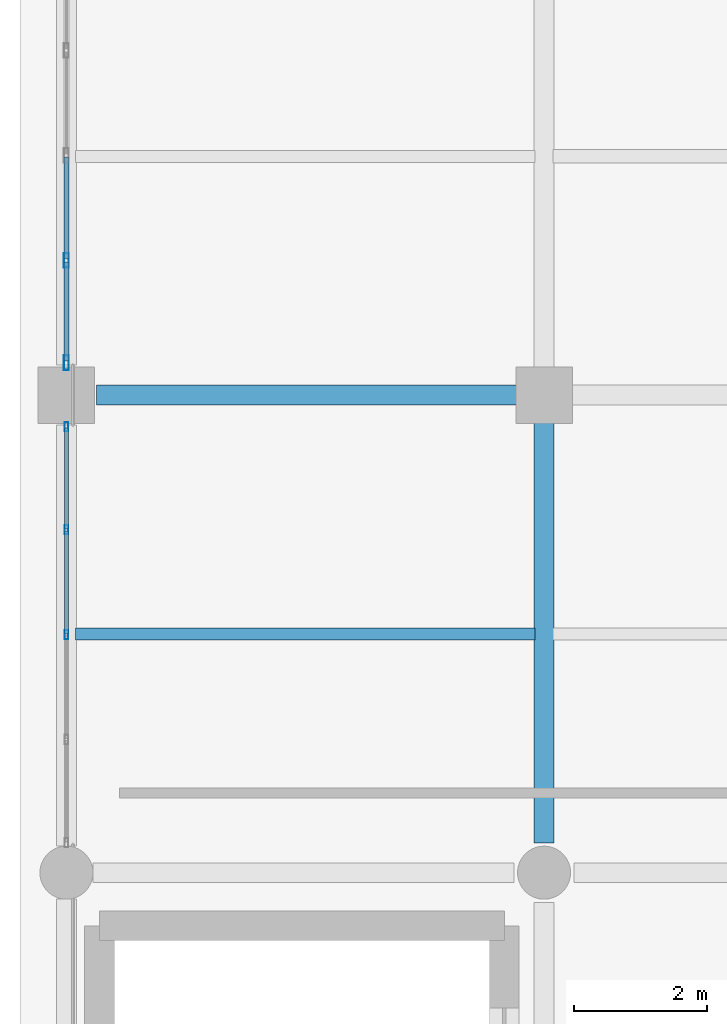
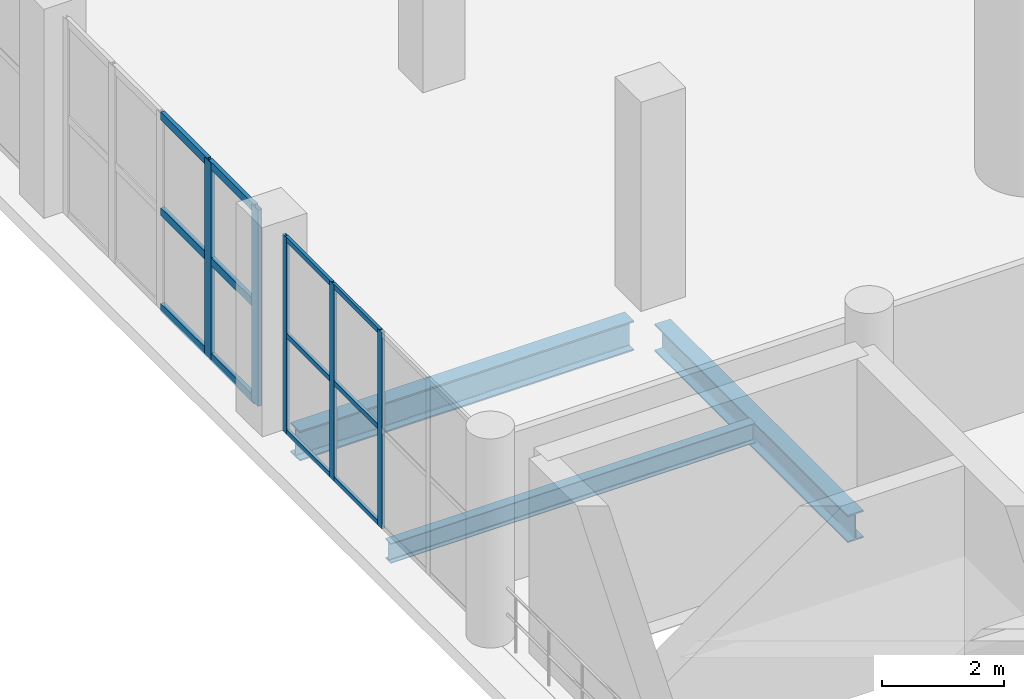
# One storey, part 47 of 153: 17 members, 3 beams, 2 elements without a shape of their own.
"""IFC4 building model written with IfcOpenShell, lengths in metres."""

from ifc_helpers import new_model, si_unit, direction, frame, origin, origin_2d, place, context, subcontext, project, spatial, hollow_rectangle, i_section, extrude, material, material_profile, profile_set, type_object, element, aggregate, save


model = new_model("IFC4")

# Units and contexts
model_context = context("Model", 3, precision=1e-05, world=origin(), true_north=direction((0.0, 1.0)))
body_context = subcontext(model_context, "Body", "Model", "MODEL_VIEW")
ifc_project = project(units=[si_unit("LENGTHUNIT", "METRE"), si_unit("AREAUNIT", "SQUARE_METRE"), si_unit("VOLUMEUNIT", "CUBIC_METRE"), si_unit("PLANEANGLEUNIT", "RADIAN"), si_unit("MASSUNIT", "GRAM", prefix="KILO")], contexts=[model_context])

# Site, building, storey
site_placement = place(None, origin())
site = spatial("IfcSite", under=ifc_project, at=site_placement, CompositionType="ELEMENT")
building_placement = place(site_placement, origin())
building = spatial("IfcBuilding", under=site, at=building_placement, Name="Qandorah Velis Arena", CompositionType="ELEMENT")
storey_placement = place(building_placement, frame((0.0, 0.0, 5.39990234375)))
storey = spatial("IfcBuildingStorey", under=building, at=storey_placement, Name="L01", CompositionType="ELEMENT", Elevation=5.39990234375)

# Curtain wall, members
ifc_material_1 = material(Name="Solar-control low-E double glazing", Category="glass")
curtain_wall_type_1 = type_object("IfcCurtainWallType", Name="ARC-CW-SYS08", PredefinedType="USERDEFINED", material=ifc_material_1)
curtain_wall_1_placement = place(storey_placement, origin())
curtain_wall_1 = element("IfcCurtainWall", 1, at=curtain_wall_1_placement, inside=storey, type_object=curtain_wall_type_1, Name="Unitised curtain wall L01-008", ObjectType="UNITISED CURTAIN WALL", PredefinedType="USERDEFINED")
ifc_material_2 = material(Name="Champagne-bronze anodized aluminium 6063-T6", Category="aluminium")
ifc_material_profile_1 = material_profile(ifc_material_2, hollow_rectangle(XDim=0.054931640625, YDim=0.139892578125, WallThickness=0.0029296875, at=origin_2d()), Name="ALU MULLION 55x140")
ifc_profile_set_1 = profile_set([ifc_material_profile_1], Name="Champagne-bronze anodized aluminium 6063-T6")
member_type_1 = type_object("IfcMemberType", Name="ARC-CWM-140", PredefinedType="MULLION", material=ifc_profile_set_1)
member_1_placement = place(storey_placement, frame((0.0, 97.1875, -0.014892578125), z_axis=(0.0, 0.0, 1.0), x_axis=(-1.0, 0.0, 0.0)))
member_1 = element("IfcMember", 2, at=member_1_placement, type_object=member_type_1, Name="CW08 mullion 3", PredefinedType="MULLION", context=body_context, shape_type="SweptSolid", body=[
    extrude(hollow_rectangle(XDim=0.054931640625, YDim=0.139892578125, WallThickness=0.0029296875, at=origin_2d()), origin(), (0.0, 0.0, 1.0), 3.949951171875),
])
member_2_placement = place(storey_placement, frame((0.0, 98.768798828125, -0.014892578125), z_axis=(0.0, 0.0, 1.0), x_axis=(-1.0, 0.0, 0.0)))
member_2 = element("IfcMember", 3, at=member_2_placement, type_object=member_type_1, Name="CW08 mullion 4", PredefinedType="MULLION", context=body_context, shape_type="SweptSolid", body=[
    extrude(hollow_rectangle(XDim=0.054931640625, YDim=0.139892578125, WallThickness=0.0029296875, at=origin_2d()), origin(), (0.0, 0.0, 1.0), 3.949951171875),
])
member_3_placement = place(storey_placement, frame((0.0, 100.322509765625, -0.014892578125), z_axis=(0.0, 0.0, 1.0), x_axis=(-1.0, 0.0, 0.0)))
member_3 = element("IfcMember", 4, at=member_3_placement, type_object=member_type_1, Name="CW08 mullion 5", PredefinedType="MULLION", context=body_context, shape_type="SweptSolid", body=[
    extrude(hollow_rectangle(XDim=0.054931640625, YDim=0.139892578125, WallThickness=0.0029296875, at=origin_2d()), origin(), (0.0, 0.0, 1.0), 3.949951171875),
])

curtain_wall_type_2 = type_object("IfcCurtainWallType", Name="ARC-CW-SYS09", PredefinedType="USERDEFINED", material=ifc_material_1)
curtain_wall_2_placement = place(storey_placement, origin())
curtain_wall_2 = element("IfcCurtainWall", 5, at=curtain_wall_2_placement, inside=storey, type_object=curtain_wall_type_2, Name="Unitised curtain wall L01-009", ObjectType="UNITISED CURTAIN WALL", PredefinedType="USERDEFINED")
ifc_material_profile_2 = material_profile(ifc_material_2, hollow_rectangle(XDim=0.074951171875, YDim=0.219970703125, WallThickness=0.00390625, at=origin_2d()), Name="ALU MULLION 75x220")
ifc_profile_set_2 = profile_set([ifc_material_profile_2], Name="Champagne-bronze anodized aluminium 6063-T6")
member_type_2 = type_object("IfcMemberType", Name="ARC-CWM-220", PredefinedType="MULLION", material=ifc_profile_set_2)
member_4_placement = place(storey_placement, frame((0.0, 101.28759765625, -0.014892578125), z_axis=(0.0, 0.0, 1.0), x_axis=(-1.0, 0.0, 0.0)))
member_4 = element("IfcMember", 6, at=member_4_placement, type_object=member_type_2, Name="CW09 mullion 1", PredefinedType="MULLION", context=body_context, shape_type="SweptSolid", body=[
    extrude(hollow_rectangle(XDim=0.074951171875, YDim=0.219970703125, WallThickness=0.00390625, at=origin_2d()), origin(), (0.0, 0.0, 1.0), 3.949951171875),
])
member_5_placement = place(storey_placement, frame((0.0, 102.831298828125, -0.014892578125), z_axis=(0.0, 0.0, 1.0), x_axis=(-1.0, 0.0, 0.0)))
member_5 = element("IfcMember", 7, at=member_5_placement, type_object=member_type_2, Name="CW09 mullion 2", PredefinedType="MULLION", context=body_context, shape_type="SweptSolid", body=[
    extrude(hollow_rectangle(XDim=0.074951171875, YDim=0.219970703125, WallThickness=0.00390625, at=origin_2d()), origin(), (0.0, 0.0, 1.0), 3.949951171875),
])

# Member
ifc_material_profile_3 = material_profile(ifc_material_2, hollow_rectangle(XDim=0.054931640625, YDim=0.10009765625, WallThickness=0.0029296875, at=origin_2d()), Name="ALU TRANSOM 55x100")
ifc_profile_set_3 = profile_set([ifc_material_profile_3], Name="Champagne-bronze anodized aluminium 6063-T6")
member_type_3 = type_object("IfcMemberType", Name="ARC-CWT-100", PredefinedType="USERDEFINED", material=ifc_profile_set_3)
member_6_placement = place(storey_placement, frame((0.0, 97.202880859375, 0.027587890625), z_axis=(0.0, 1.0, 0.0), x_axis=(-1.0, 0.0, 0.0)))
member_6 = element("IfcMember", 8, at=member_6_placement, type_object=member_type_3, Name="CW08 transom 3.1", ObjectType="TRANSOM", PredefinedType="USERDEFINED", context=body_context, shape_type="SweptSolid", body=[
    extrude(hollow_rectangle(XDim=0.054931640625, YDim=0.10009765625, WallThickness=0.0029296875, at=origin_2d()), origin(), (0.0, 0.0, 1.0), 1.55029296875),
])

member_7_placement = place(storey_placement, frame((0.0, 97.202880859375, 1.960205078125), z_axis=(0.0, 1.0, 0.0), x_axis=(-1.0, 0.0, 0.0)))
member_7 = element("IfcMember", 9, at=member_7_placement, type_object=member_type_3, Name="CW08 transom 3.2", ObjectType="TRANSOM", PredefinedType="USERDEFINED", context=body_context, shape_type="SweptSolid", body=[
    extrude(hollow_rectangle(XDim=0.054931640625, YDim=0.10009765625, WallThickness=0.0029296875, at=origin_2d()), origin(), (0.0, 0.0, 1.0), 1.55029296875),
])

member_8_placement = place(storey_placement, frame((0.0, 97.202880859375, 3.892578125), z_axis=(0.0, 1.0, 0.0), x_axis=(-1.0, 0.0, 0.0)))
member_8 = element("IfcMember", 10, at=member_8_placement, type_object=member_type_3, Name="CW08 transom 3.3", ObjectType="TRANSOM", PredefinedType="USERDEFINED", context=body_context, shape_type="SweptSolid", body=[
    extrude(hollow_rectangle(XDim=0.054931640625, YDim=0.10009765625, WallThickness=0.0029296875, at=origin_2d()), origin(), (0.0, 0.0, 1.0), 1.55029296875),
])

member_9_placement = place(storey_placement, frame((0.0, 98.7841796875, 0.027587890625), z_axis=(0.0, 1.0, 0.0), x_axis=(-1.0, 0.0, 0.0)))
member_9 = element("IfcMember", 11, at=member_9_placement, type_object=member_type_3, Name="CW08 transom 4.1", ObjectType="TRANSOM", PredefinedType="USERDEFINED", context=body_context, shape_type="SweptSolid", body=[
    extrude(hollow_rectangle(XDim=0.054931640625, YDim=0.10009765625, WallThickness=0.0029296875, at=origin_2d()), origin(), (0.0, 0.0, 1.0), 1.522705078125),
])

member_10_placement = place(storey_placement, frame((0.0, 98.7841796875, 1.960205078125), z_axis=(0.0, 1.0, 0.0), x_axis=(-1.0, 0.0, 0.0)))
member_10 = element("IfcMember", 12, at=member_10_placement, type_object=member_type_3, Name="CW08 transom 4.2", ObjectType="TRANSOM", PredefinedType="USERDEFINED", context=body_context, shape_type="SweptSolid", body=[
    extrude(hollow_rectangle(XDim=0.054931640625, YDim=0.10009765625, WallThickness=0.0029296875, at=origin_2d()), origin(), (0.0, 0.0, 1.0), 1.522705078125),
])

member_11_placement = place(storey_placement, frame((0.0, 98.7841796875, 3.892578125), z_axis=(0.0, 1.0, 0.0), x_axis=(-1.0, 0.0, 0.0)))
member_11 = element("IfcMember", 13, at=member_11_placement, type_object=member_type_3, Name="CW08 transom 4.3", ObjectType="TRANSOM", PredefinedType="USERDEFINED", context=body_context, shape_type="SweptSolid", body=[
    extrude(hollow_rectangle(XDim=0.054931640625, YDim=0.10009765625, WallThickness=0.0029296875, at=origin_2d()), origin(), (0.0, 0.0, 1.0), 1.522705078125),
])

aggregate(curtain_wall_1, [member_1, member_2, member_3, member_6, member_7, member_8, member_9, member_10, member_11])

ifc_material_profile_4 = material_profile(ifc_material_2, hollow_rectangle(XDim=0.074951171875, YDim=0.159912109375, WallThickness=0.00341796875, at=origin_2d()), Name="ALU TRANSOM 75x160")
ifc_profile_set_4 = profile_set([ifc_material_profile_4], Name="Champagne-bronze anodized aluminium 6063-T6")
member_type_4 = type_object("IfcMemberType", Name="ARC-CWT-160", PredefinedType="USERDEFINED", material=ifc_profile_set_4)
member_12_placement = place(storey_placement, frame((0.0, 101.31298828125, 0.03759765625), z_axis=(0.0, 1.0, 0.0), x_axis=(-1.0, 0.0, 0.0)))
member_12 = element("IfcMember", 14, at=member_12_placement, type_object=member_type_4, Name="CW09 transom 1.1", ObjectType="TRANSOM", PredefinedType="USERDEFINED", context=body_context, shape_type="SweptSolid", body=[
    extrude(hollow_rectangle(XDim=0.074951171875, YDim=0.159912109375, WallThickness=0.00341796875, at=origin_2d()), origin(), (0.0, 0.0, 1.0), 1.492919921875),
])

member_13_placement = place(storey_placement, frame((0.0, 101.31298828125, 1.960205078125), z_axis=(0.0, 1.0, 0.0), x_axis=(-1.0, 0.0, 0.0)))
member_13 = element("IfcMember", 15, at=member_13_placement, type_object=member_type_4, Name="CW09 transom 1.2", ObjectType="TRANSOM", PredefinedType="USERDEFINED", context=body_context, shape_type="SweptSolid", body=[
    extrude(hollow_rectangle(XDim=0.074951171875, YDim=0.159912109375, WallThickness=0.00341796875, at=origin_2d()), origin(), (0.0, 0.0, 1.0), 1.492919921875),
])

member_14_placement = place(storey_placement, frame((0.0, 101.31298828125, 3.882568359375), z_axis=(0.0, 1.0, 0.0), x_axis=(-1.0, 0.0, 0.0)))
member_14 = element("IfcMember", 16, at=member_14_placement, type_object=member_type_4, Name="CW09 transom 1.3", ObjectType="TRANSOM", PredefinedType="USERDEFINED", context=body_context, shape_type="SweptSolid", body=[
    extrude(hollow_rectangle(XDim=0.074951171875, YDim=0.159912109375, WallThickness=0.00341796875, at=origin_2d()), origin(), (0.0, 0.0, 1.0), 1.492919921875),
])

member_15_placement = place(storey_placement, frame((0.0, 102.856689453125, 0.03759765625), z_axis=(0.0, 1.0, 0.0), x_axis=(-1.0, 0.0, 0.0)))
member_15 = element("IfcMember", 17, at=member_15_placement, type_object=member_type_4, Name="CW09 transom 2.1", ObjectType="TRANSOM", PredefinedType="USERDEFINED", context=body_context, shape_type="SweptSolid", body=[
    extrude(hollow_rectangle(XDim=0.074951171875, YDim=0.159912109375, WallThickness=0.00341796875, at=origin_2d()), origin(), (0.0, 0.0, 1.0), 1.5302734375),
])

member_16_placement = place(storey_placement, frame((0.0, 102.856689453125, 1.960205078125), z_axis=(0.0, 1.0, 0.0), x_axis=(-1.0, 0.0, 0.0)))
member_16 = element("IfcMember", 18, at=member_16_placement, type_object=member_type_4, Name="CW09 transom 2.2", ObjectType="TRANSOM", PredefinedType="USERDEFINED", context=body_context, shape_type="SweptSolid", body=[
    extrude(hollow_rectangle(XDim=0.074951171875, YDim=0.159912109375, WallThickness=0.00341796875, at=origin_2d()), origin(), (0.0, 0.0, 1.0), 1.5302734375),
])

member_17_placement = place(storey_placement, frame((0.0, 102.856689453125, 3.882568359375), z_axis=(0.0, 1.0, 0.0), x_axis=(-1.0, 0.0, 0.0)))
member_17 = element("IfcMember", 19, at=member_17_placement, type_object=member_type_4, Name="CW09 transom 2.3", ObjectType="TRANSOM", PredefinedType="USERDEFINED", context=body_context, shape_type="SweptSolid", body=[
    extrude(hollow_rectangle(XDim=0.074951171875, YDim=0.159912109375, WallThickness=0.00341796875, at=origin_2d()), origin(), (0.0, 0.0, 1.0), 1.5302734375),
])

aggregate(curtain_wall_2, [member_4, member_5, member_12, member_13, member_14, member_15, member_16, member_17])

# Beams
ifc_material_3 = material(Name="Steel S355", Category="steel")
ifc_material_profile_5 = material_profile(ifc_material_3, i_section(OverallWidth=0.300048828125, OverallDepth=0.550048828125, WebThickness=0.014892578125, FlangeThickness=0.029052734375, FilletRadius=0.027099609375, at=origin_2d()), Name="HEB 550")
ifc_profile_set_5 = profile_set([ifc_material_profile_5], Name="Steel S355")
beam_type_1 = type_object("IfcBeamType", Name="STR-BM-HEB550", PredefinedType="BEAM", material=ifc_profile_set_5)
beam_1_placement = place(storey_placement, frame((7.199951171875, 94.050048828125, -0.635009765625), z_axis=(0.0, 1.0, 0.0), x_axis=(-1.0, 0.0, 0.0)))
element("IfcBeam", 20, at=beam_1_placement, inside=storey, type_object=beam_type_1, Name="Primary floor girder L01 Y-251", PredefinedType="BEAM", context=body_context, shape_type="SweptSolid", body=[
    extrude(i_section(OverallWidth=0.300048828125, OverallDepth=0.550048828125, WebThickness=0.014892578125, FlangeThickness=0.029052734375, FilletRadius=0.027099609375, at=origin_2d()), origin(), (0.0, 0.0, 1.0), 6.349853515625),
])
ifc_material_profile_6 = material_profile(ifc_material_3, i_section(OverallWidth=0.300048828125, OverallDepth=0.60009765625, WebThickness=0.015380859375, FlangeThickness=0.030029296875, FilletRadius=0.027099609375, at=origin_2d()), Name="HEB 600")
ifc_profile_set_6 = profile_set([ifc_material_profile_6], Name="Steel S355")
beam_type_2 = type_object("IfcBeamType", Name="STR-BM-HEB600", PredefinedType="BEAM", material=ifc_profile_set_6)
beam_2_placement = place(storey_placement, frame((0.449951171875, 100.800048828125, -0.659912109375), z_axis=(1.0, 0.0, 0.0), x_axis=(0.0, 1.0, 0.0)))
element("IfcBeam", 21, at=beam_2_placement, inside=storey, type_object=beam_type_2, Name="Primary floor girder L01 X-145", PredefinedType="BEAM", context=body_context, shape_type="SweptSolid", body=[
    extrude(i_section(OverallWidth=0.300048828125, OverallDepth=0.60009765625, WebThickness=0.015380859375, FlangeThickness=0.030029296875, FilletRadius=0.027099609375, at=origin_2d()), origin(), (0.0, 0.0, 1.0), 6.35009765625),
])
ifc_material_profile_7 = material_profile(ifc_material_3, i_section(OverallWidth=0.179931640625, OverallDepth=0.39990234375, WebThickness=0.008544921875, FlangeThickness=0.013427734375, FilletRadius=0.02099609375, at=origin_2d()), Name="IPE 400")
ifc_profile_set_7 = profile_set([ifc_material_profile_7], Name="Steel S355")
beam_type_3 = type_object("IfcBeamType", Name="STR-JST-IPE400", PredefinedType="JOIST", material=ifc_profile_set_7)
beam_3_placement = place(storey_placement, frame((0.135009765625, 97.199951171875, -0.559814453125), z_axis=(1.0, 0.0, 0.0), x_axis=(0.0, 1.0, 0.0)))
element("IfcBeam", 22, at=beam_3_placement, inside=storey, type_object=beam_type_3, Name="Secondary floor joist L01-010", PredefinedType="JOIST", context=body_context, shape_type="SweptSolid", body=[
    extrude(i_section(OverallWidth=0.179931640625, OverallDepth=0.39990234375, WebThickness=0.008544921875, FlangeThickness=0.013427734375, FilletRadius=0.02099609375, at=origin_2d()), origin(), (0.0, 0.0, 1.0), 6.929931640625),
])

save(model, "model.ifc")
